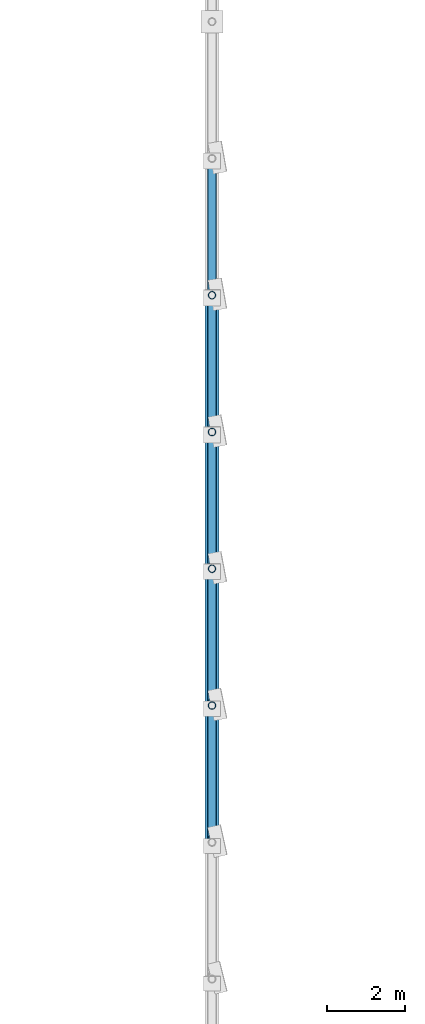
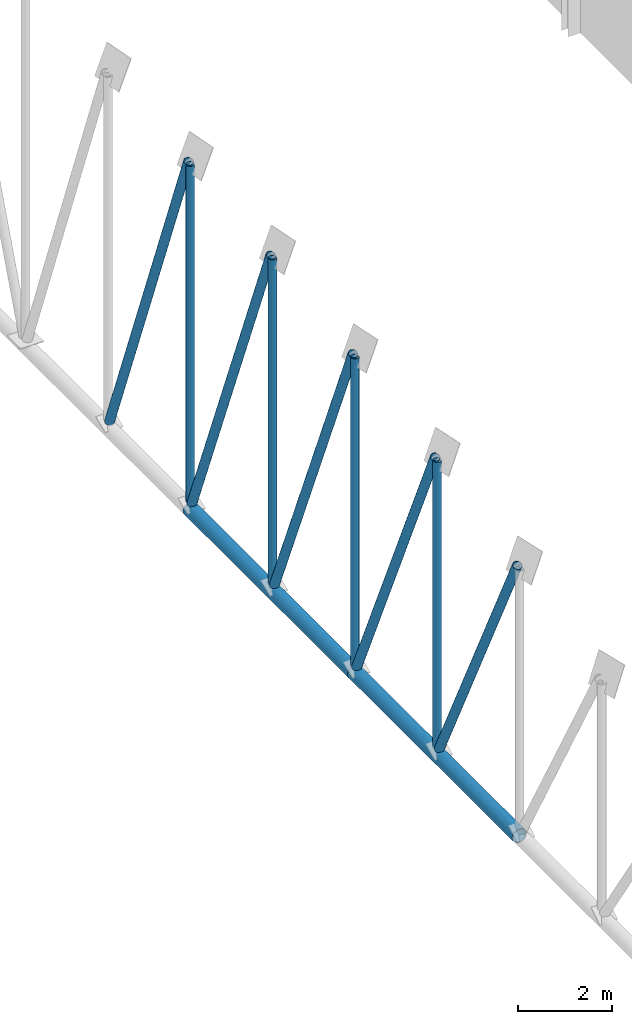
# One storey, part 82 of 196: 11 members.
"""IFC4 building model written with IfcOpenShell, lengths in metres."""

from ifc_helpers import new_model, si_unit, direction, frame, origin, origin_2d, place, context, subcontext, project, spatial, hollow_circle, extrude, material, material_profile, profile_set, type_object, element, save


model = new_model("IFC4")

# Units and contexts
model_context = context("Model", 3, precision=1e-05, world=origin(), true_north=direction((0.0, 1.0)))
body_context = subcontext(model_context, "Body", "Model", "MODEL_VIEW")
ifc_project = project(units=[si_unit("LENGTHUNIT", "METRE"), si_unit("AREAUNIT", "SQUARE_METRE"), si_unit("VOLUMEUNIT", "CUBIC_METRE"), si_unit("PLANEANGLEUNIT", "RADIAN"), si_unit("MASSUNIT", "GRAM", prefix="KILO")], contexts=[model_context])

# Site, building, storey
site_placement = place(None, origin())
site = spatial("IfcSite", under=ifc_project, at=site_placement, CompositionType="ELEMENT")
building_placement = place(site_placement, origin())
building = spatial("IfcBuilding", under=site, at=building_placement, Name="Okhra Congress Centre", CompositionType="ELEMENT")
storey_placement = place(building_placement, frame((0.0, 0.0, 12.0)))
storey = spatial("IfcBuildingStorey", under=building, at=storey_placement, Name="L02", CompositionType="ELEMENT", Elevation=12.0)

# Members
ifc_material = material(Name="Steel S355J2H", Category="steel")
ifc_material_profile_1 = material_profile(ifc_material, hollow_circle(Radius=0.096923828125, WallThickness=0.008056640625, at=origin_2d()), Name="CHS 193.7x8.0")
ifc_profile_set_1 = profile_set([ifc_material_profile_1], Name="Steel S355J2H")
member_type_1 = type_object("IfcMemberType", Name="CHS 193.7x8.0", PredefinedType="POST", material=ifc_profile_set_1)
member_1_placement = place(storey_placement, frame((136.0, 156.5, 1.577880859375), z_axis=(0.0, 0.0, 1.0), x_axis=(1.0, 0.0, 0.0)))
element("IfcMember", 1, at=member_1_placement, inside=storey, type_object=member_type_1, Name="EH.MEM.L02.T7-VER-07", PredefinedType="POST", context=body_context, shape_type="SweptSolid", body=[
    extrude(hollow_circle(Radius=0.096923828125, WallThickness=0.008056640625, at=origin_2d()), origin(), (0.0, 0.0, 1.0), 7.448974609375),
])
member_2_placement = place(storey_placement, frame((136.0, 160.0, 1.577880859375), z_axis=(0.0, 0.0, 1.0), x_axis=(1.0, 0.0, 0.0)))
element("IfcMember", 2, at=member_2_placement, inside=storey, type_object=member_type_1, Name="EH.MEM.L02.T7-VER-08", PredefinedType="POST", context=body_context, shape_type="SweptSolid", body=[
    extrude(hollow_circle(Radius=0.096923828125, WallThickness=0.008056640625, at=origin_2d()), origin(), (0.0, 0.0, 1.0), 8.01708984375),
])
member_3_placement = place(storey_placement, frame((136.0, 163.5, 1.577880859375), z_axis=(0.0, 0.0, 1.0), x_axis=(1.0, 0.0, 0.0)))
element("IfcMember", 3, at=member_3_placement, inside=storey, type_object=member_type_1, Name="EH.MEM.L02.T7-VER-09", PredefinedType="POST", context=body_context, shape_type="SweptSolid", body=[
    extrude(hollow_circle(Radius=0.096923828125, WallThickness=0.008056640625, at=origin_2d()), origin(), (0.0, 0.0, 1.0), 8.456787109375),
])
member_4_placement = place(storey_placement, frame((136.0, 167.0, 1.577880859375), z_axis=(0.0, 0.0, 1.0), x_axis=(1.0, 0.0, 0.0)))
element("IfcMember", 4, at=member_4_placement, inside=storey, type_object=member_type_1, Name="EH.MEM.L02.T7-VER-10", PredefinedType="POST", context=body_context, shape_type="SweptSolid", body=[
    extrude(hollow_circle(Radius=0.096923828125, WallThickness=0.008056640625, at=origin_2d()), origin(), (0.0, 0.0, 1.0), 8.76953125),
])
ifc_material_profile_2 = material_profile(ifc_material, hollow_circle(Radius=0.109619140625, WallThickness=0.010009765625, at=origin_2d()), Name="CHS 219.1x10.0")
ifc_profile_set_2 = profile_set([ifc_material_profile_2], Name="Steel S355J2H")
member_type_2 = type_object("IfcMemberType", Name="CHS 219.1x10.0", PredefinedType="BRACE", material=ifc_profile_set_2)
member_5_placement = place(storey_placement, frame((136.0, 153.083740234375, 8.365234375), z_axis=(0.0, 0.440367038805, -0.897817838503), x_axis=(-1.0, 0.0, 0.0)))
element("IfcMember", 5, at=member_5_placement, inside=storey, type_object=member_type_2, Name="EH.MEM.L02.T7-DIA-06", PredefinedType="BRACE", context=body_context, shape_type="SweptSolid", body=[
    extrude(hollow_circle(Radius=0.109619140625, WallThickness=0.010009765625, at=origin_2d()), origin(), (0.0, 0.0, 1.0), 7.559814453125),
])
member_6_placement = place(storey_placement, frame((136.0, 156.57763671875, 9.0595703125), z_axis=(0.0, 0.407953800593, -0.913002572057), x_axis=(-1.0, 0.0, 0.0)))
element("IfcMember", 6, at=member_6_placement, inside=storey, type_object=member_type_2, Name="EH.MEM.L02.T7-DIA-07", PredefinedType="BRACE", context=body_context, shape_type="SweptSolid", body=[
    extrude(hollow_circle(Radius=0.109619140625, WallThickness=0.010009765625, at=origin_2d()), origin(), (0.0, 0.0, 1.0), 8.194580078125),
])
member_7_placement = place(storey_placement, frame((136.0, 160.073486328125, 9.6240234375), z_axis=(0.0, 0.384613395842, -0.92307775173), x_axis=(-1.0, 0.0, 0.0)))
element("IfcMember", 7, at=member_7_placement, inside=storey, type_object=member_type_2, Name="EH.MEM.L02.T7-DIA-08", PredefinedType="BRACE", context=body_context, shape_type="SweptSolid", body=[
    extrude(hollow_circle(Radius=0.109619140625, WallThickness=0.010009765625, at=origin_2d()), origin(), (0.0, 0.0, 1.0), 8.716552734375),
])
member_8_placement = place(storey_placement, frame((136.0, 163.570556640625, 10.060546875), z_axis=(0.0, 0.368181952794, -0.929753757528), x_axis=(-1.0, 0.0, 0.0)))
element("IfcMember", 8, at=member_8_placement, inside=storey, type_object=member_type_2, Name="EH.MEM.L02.T7-DIA-09", PredefinedType="BRACE", context=body_context, shape_type="SweptSolid", body=[
    extrude(hollow_circle(Radius=0.109619140625, WallThickness=0.010009765625, at=origin_2d()), origin(), (0.0, 0.0, 1.0), 9.12353515625),
])
member_9_placement = place(storey_placement, frame((136.0, 167.069091796875, 10.37060546875), z_axis=(0.0, 0.357217988255, -0.934021043054), x_axis=(-1.0, 0.0, 0.0)))
element("IfcMember", 9, at=member_9_placement, inside=storey, type_object=member_type_2, Name="EH.MEM.L02.T7-DIA-10", PredefinedType="BRACE", context=body_context, shape_type="SweptSolid", body=[
    extrude(hollow_circle(Radius=0.109619140625, WallThickness=0.010009765625, at=origin_2d()), origin(), (0.0, 0.0, 1.0), 9.413818359375),
])
ifc_material_profile_3 = material_profile(ifc_material, hollow_circle(Radius=0.177734375, WallThickness=0.01611328125, at=origin_2d()), Name="CHS 355.6x16.0")
ifc_profile_set_3 = profile_set([ifc_material_profile_3], Name="Steel S355J2H")
member_type_3 = type_object("IfcMemberType", Name="CHS 355.6x16.0", PredefinedType="CHORD", material=ifc_profile_set_3)
member_10_placement = place(storey_placement, frame((136.0, 153.0, 1.39990234375), z_axis=(0.0, 1.0, 0.0), x_axis=(-1.0, 0.0, 0.0)))
element("IfcMember", 10, at=member_10_placement, inside=storey, type_object=member_type_3, Name="EH.MEM.L02.T7-BOT-04", PredefinedType="CHORD", context=body_context, shape_type="SweptSolid", body=[
    extrude(hollow_circle(Radius=0.177734375, WallThickness=0.01611328125, at=origin_2d()), origin(), (0.0, 0.0, 1.0), 7.0),
])
ifc_material_profile_4 = material_profile(ifc_material, hollow_circle(Radius=0.177734375, WallThickness=0.02001953125, at=origin_2d()), Name="CHS 355.6x20.0")
ifc_profile_set_4 = profile_set([ifc_material_profile_4], Name="Steel S355J2H")
member_type_4 = type_object("IfcMemberType", Name="CHS 355.6x20.0", PredefinedType="CHORD", material=ifc_profile_set_4)
member_11_placement = place(storey_placement, frame((136.0, 160.0, 1.39990234375), z_axis=(0.0, 1.0, 0.0), x_axis=(-1.0, 0.0, 0.0)))
element("IfcMember", 11, at=member_11_placement, inside=storey, type_object=member_type_4, Name="EH.MEM.L02.T7-BOT-05", PredefinedType="CHORD", context=body_context, shape_type="SweptSolid", body=[
    extrude(hollow_circle(Radius=0.177734375, WallThickness=0.02001953125, at=origin_2d()), origin(), (0.0, 0.0, 1.0), 7.0),
])

save(model, "model.ifc")
